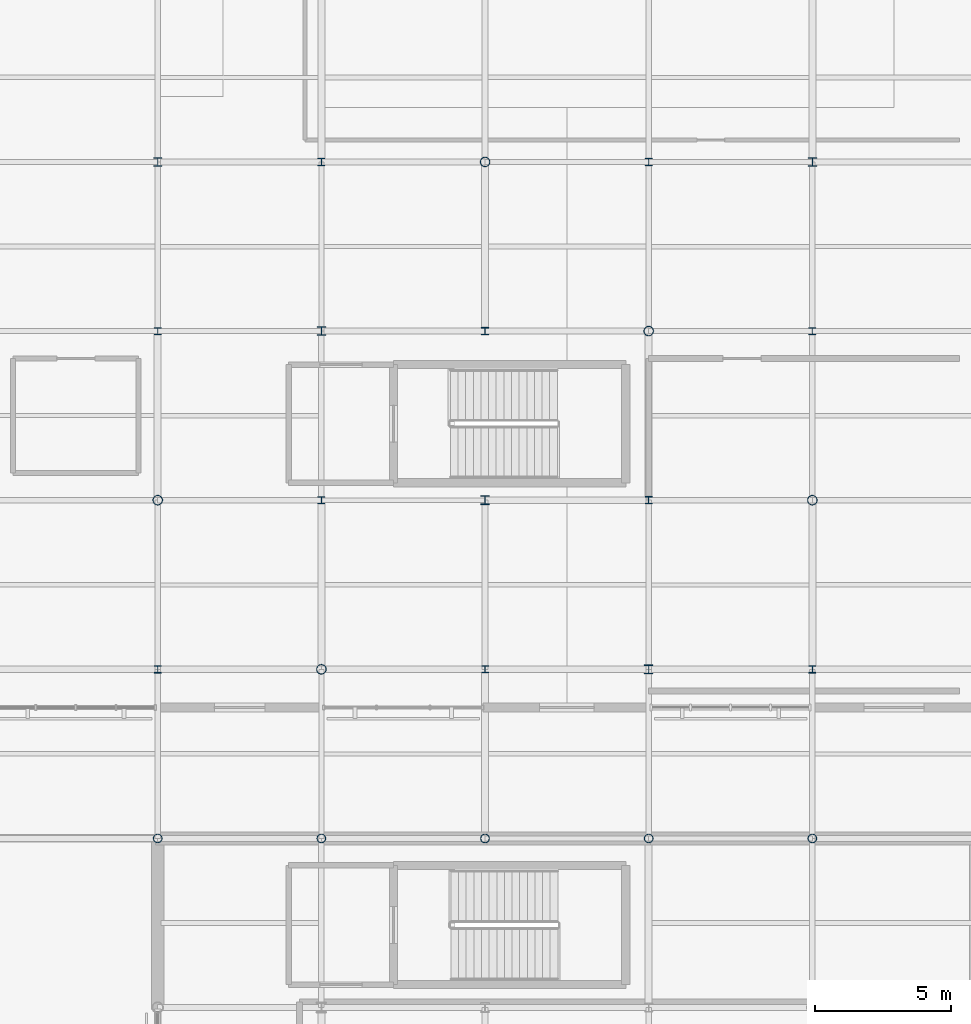
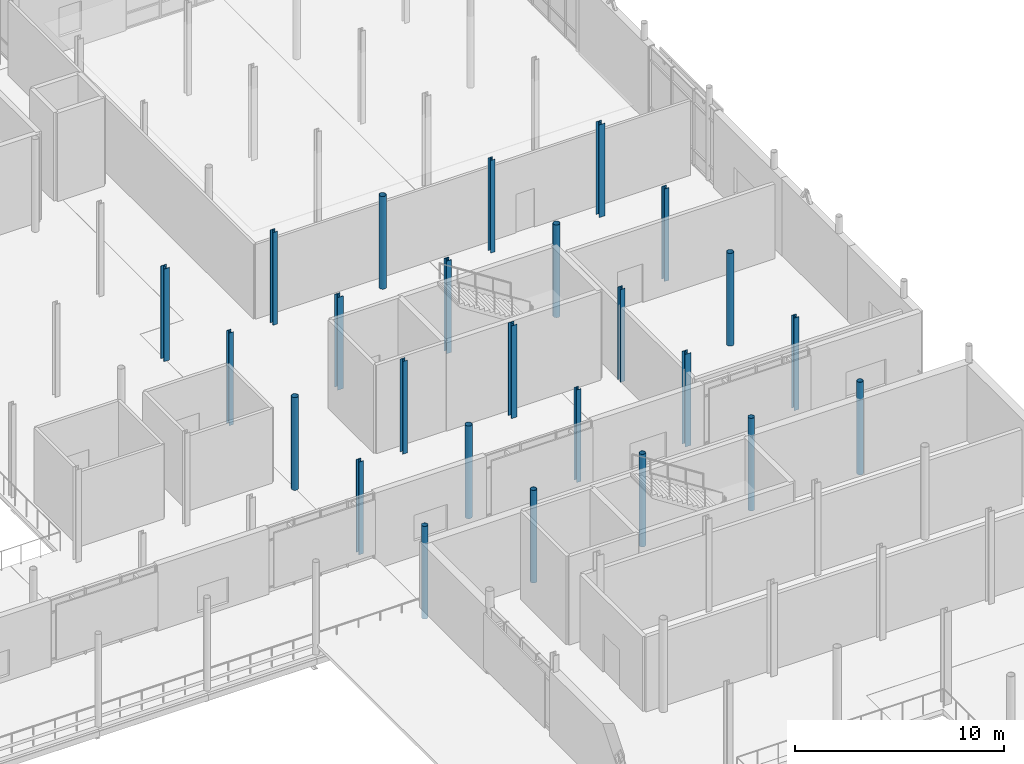
# One storey, part 14 of 105: 25 columns.
"""IFC4 building model written with IfcOpenShell, lengths in metres."""

from ifc_helpers import new_model, si_unit, direction, frame, origin, origin_2d, place, context, subcontext, project, spatial, hollow_circle, i_section, extrude, material, material_profile, profile_set, type_object, element, save


model = new_model("IFC4")

# Units and contexts
model_context = context("Model", 3, precision=1e-05, world=origin(), true_north=direction((0.0, 1.0)))
body_context = subcontext(model_context, "Body", "Model", "MODEL_VIEW")
ifc_project = project(units=[si_unit("LENGTHUNIT", "METRE"), si_unit("AREAUNIT", "SQUARE_METRE"), si_unit("VOLUMEUNIT", "CUBIC_METRE"), si_unit("PLANEANGLEUNIT", "RADIAN"), si_unit("MASSUNIT", "GRAM", prefix="KILO")], contexts=[model_context])

# Site, building, storey
site_placement = place(None, origin())
site = spatial("IfcSite", under=ifc_project, at=site_placement, CompositionType="ELEMENT")
building_placement = place(site_placement, origin())
building = spatial("IfcBuilding", under=site, at=building_placement, Name="Mirzam Square Science Centre", CompositionType="ELEMENT")
storey_placement = place(building_placement, frame((0.0, 0.0, 5.39990234375)))
storey = spatial("IfcBuildingStorey", under=building, at=storey_placement, Name="L01", CompositionType="ELEMENT", Elevation=5.39990234375)

# Columns
ifc_material = material(Name="Steel S355", Category="steel")
ifc_material_profile_1 = material_profile(ifc_material, hollow_circle(Radius=0.161865234375, WallThickness=0.012451171875, at=origin_2d()), Name="323.9x12.5CHS")
ifc_profile_set_1 = profile_set([ifc_material_profile_1], Name="Steel S355")
column_type_1 = type_object("IfcColumnType", Name="COL-CHS324", PredefinedType="COLUMN", material=ifc_profile_set_1)
for number, where, z_axis, x_axis, name in (
    (1, (132.0, 37.199951171875, 0.0), (0.0, 0.0, 1.0), (1.0, 0.0, 0.0), "L01 column G23-07"),
    (2, (138.0, 37.199951171875, 0.0), (0.0, 0.0, 1.0), (1.0, 0.0, 0.0), "L01 column G24-07"),
    (3, (144.0, 37.199951171875, 0.0), (0.0, 0.0, 1.0), (1.0, 0.0, 0.0), "L01 column G25-07"),
    (4, (150.0, 37.199951171875, 0.0), (0.0, 0.0, 1.0), (1.0, 0.0, 0.0), "L01 column G26-07"),
    (5, (156.0, 37.199951171875, 0.0), (0.0, 0.0, 1.0), (1.0, 0.0, 0.0), "L01 column G27-07"),
):
    element("IfcColumn", number, at=place(storey_placement, frame(where, z_axis=z_axis, x_axis=x_axis)), inside=storey, type_object=column_type_1, Name=name, PredefinedType="COLUMN", context=body_context, shape_type="SweptSolid", body=[
        extrude(hollow_circle(Radius=0.161865234375, WallThickness=0.012451171875, at=origin_2d()), origin(), (0.0, 0.0, 1.0), 5.400146484375),
    ])
ifc_material_profile_2 = material_profile(ifc_material, hollow_circle(Radius=0.177734375, WallThickness=0.012451171875, at=origin_2d()), Name="355.6x12.5CHS")
ifc_profile_set_2 = profile_set([ifc_material_profile_2], Name="Steel S355")
column_type_2 = type_object("IfcColumnType", Name="COL-CHS355", PredefinedType="COLUMN", material=ifc_profile_set_2)
for number, where, z_axis, x_axis, name in (
    (6, (132.0, 49.60009765625, 0.0), (0.0, 0.0, 1.0), (1.0, 0.0, 0.0), "L01 column G23-09"),
    (7, (138.0, 43.39990234375, 0.0), (0.0, 0.0, 1.0), (1.0, 0.0, 0.0), "L01 column G24-08"),
    (8, (144.0, 62.0, 0.0), (0.0, 0.0, 1.0), (1.0, 0.0, 0.0), "L01 column G25-11"),
    (9, (150.0, 55.800048828125, 0.0), (0.0, 0.0, 1.0), (1.0, 0.0, 0.0), "L01 column G26-10"),
    (10, (156.0, 49.60009765625, 0.0), (0.0, 0.0, 1.0), (1.0, 0.0, 0.0), "L01 column G27-09"),
):
    element("IfcColumn", number, at=place(storey_placement, frame(where, z_axis=z_axis, x_axis=x_axis)), inside=storey, type_object=column_type_2, Name=name, PredefinedType="COLUMN", context=body_context, shape_type="SweptSolid", body=[
        extrude(hollow_circle(Radius=0.177734375, WallThickness=0.012451171875, at=origin_2d()), origin(), (0.0, 0.0, 1.0), 5.400146484375),
    ])
ifc_material_profile_3 = material_profile(ifc_material, i_section(OverallWidth=0.25634765625, OverallDepth=0.26025390625, WebThickness=0.01025390625, FlangeThickness=0.017333984375, FilletRadius=0.0126953125, at=origin_2d()), Name="254x254x89UC")
ifc_profile_set_3 = profile_set([ifc_material_profile_3], Name="Steel S355")
column_type_3 = type_object("IfcColumnType", Name="COL-UC254A", PredefinedType="COLUMN", material=ifc_profile_set_3)
for number, where, z_axis, x_axis, name in (
    (11, (132.0, 55.800048828125, 0.0), (0.0, 0.0, 1.0), (1.0, 0.0, 0.0), "L01 column G23-10"),
    (12, (138.0, 49.60009765625, 0.0), (0.0, 0.0, 1.0), (1.0, 0.0, 0.0), "L01 column G24-09"),
    (13, (144.0, 43.39990234375, 0.0), (0.0, 0.0, 1.0), (1.0, 0.0, 0.0), "L01 column G25-08"),
    (14, (150.0, 62.0, 0.0), (0.0, 0.0, 1.0), (1.0, 0.0, 0.0), "L01 column G26-11"),
    (15, (156.0, 55.800048828125, 0.0), (0.0, 0.0, 1.0), (1.0, 0.0, 0.0), "L01 column G27-10"),
):
    element("IfcColumn", number, at=place(storey_placement, frame(where, z_axis=z_axis, x_axis=x_axis)), inside=storey, type_object=column_type_3, Name=name, PredefinedType="COLUMN", context=body_context, shape_type="SweptSolid", body=[
        extrude(i_section(OverallWidth=0.25634765625, OverallDepth=0.26025390625, WebThickness=0.01025390625, FlangeThickness=0.017333984375, FilletRadius=0.0126953125, at=origin_2d()), origin(), (0.0, 0.0, 1.0), 5.400146484375),
    ])
ifc_material_profile_4 = material_profile(ifc_material, i_section(OverallWidth=0.26123046875, OverallDepth=0.2763671875, WebThickness=0.015380859375, FlangeThickness=0.025390625, FilletRadius=0.0126953125, at=origin_2d()), Name="254x254x132UC")
ifc_profile_set_4 = profile_set([ifc_material_profile_4], Name="Steel S355")
column_type_4 = type_object("IfcColumnType", Name="COL-UC254B", PredefinedType="COLUMN", material=ifc_profile_set_4)
for number, where, z_axis, x_axis, name in (
    (16, (132.0, 43.39990234375, 0.0), (0.0, 0.0, 1.0), (1.0, 0.0, 0.0), "L01 column G23-08"),
    (17, (138.0, 62.0, 0.0), (0.0, 0.0, 1.0), (1.0, 0.0, 0.0), "L01 column G24-11"),
    (18, (144.0, 55.800048828125, 0.0), (0.0, 0.0, 1.0), (1.0, 0.0, 0.0), "L01 column G25-10"),
    (19, (150.0, 49.60009765625, 0.0), (0.0, 0.0, 1.0), (1.0, 0.0, 0.0), "L01 column G26-09"),
    (20, (156.0, 43.39990234375, 0.0), (0.0, 0.0, 1.0), (1.0, 0.0, 0.0), "L01 column G27-08"),
):
    element("IfcColumn", number, at=place(storey_placement, frame(where, z_axis=z_axis, x_axis=x_axis)), inside=storey, type_object=column_type_4, Name=name, PredefinedType="COLUMN", context=body_context, shape_type="SweptSolid", body=[
        extrude(i_section(OverallWidth=0.26123046875, OverallDepth=0.2763671875, WebThickness=0.015380859375, FlangeThickness=0.025390625, FilletRadius=0.0126953125, at=origin_2d()), origin(), (0.0, 0.0, 1.0), 5.400146484375),
    ])
ifc_material_profile_5 = material_profile(ifc_material, i_section(OverallWidth=0.30908203125, OverallDepth=0.320556640625, WebThickness=0.013916015625, FlangeThickness=0.021728515625, FilletRadius=0.01513671875, at=origin_2d()), Name="305x305x137UC")
ifc_profile_set_5 = profile_set([ifc_material_profile_5], Name="Steel S355")
column_type_5 = type_object("IfcColumnType", Name="COL-UC305A", PredefinedType="COLUMN", material=ifc_profile_set_5)
for number, where, z_axis, x_axis, name in (
    (21, (132.0, 62.0, 0.0), (0.0, 0.0, 1.0), (1.0, 0.0, 0.0), "L01 column G23-11"),
    (22, (138.0, 55.800048828125, 0.0), (0.0, 0.0, 1.0), (1.0, 0.0, 0.0), "L01 column G24-10"),
    (23, (144.0, 49.60009765625, 0.0), (0.0, 0.0, 1.0), (1.0, 0.0, 0.0), "L01 column G25-09"),
    (24, (150.0, 43.39990234375, 0.0), (0.0, 0.0, 1.0), (1.0, 0.0, 0.0), "L01 column G26-08"),
    (25, (156.0, 62.0, 0.0), (0.0, 0.0, 1.0), (1.0, 0.0, 0.0), "L01 column G27-11"),
):
    element("IfcColumn", number, at=place(storey_placement, frame(where, z_axis=z_axis, x_axis=x_axis)), inside=storey, type_object=column_type_5, Name=name, PredefinedType="COLUMN", context=body_context, shape_type="SweptSolid", body=[
        extrude(i_section(OverallWidth=0.30908203125, OverallDepth=0.320556640625, WebThickness=0.013916015625, FlangeThickness=0.021728515625, FilletRadius=0.01513671875, at=origin_2d()), origin(), (0.0, 0.0, 1.0), 5.400146484375),
    ])

save(model, "model.ifc")
